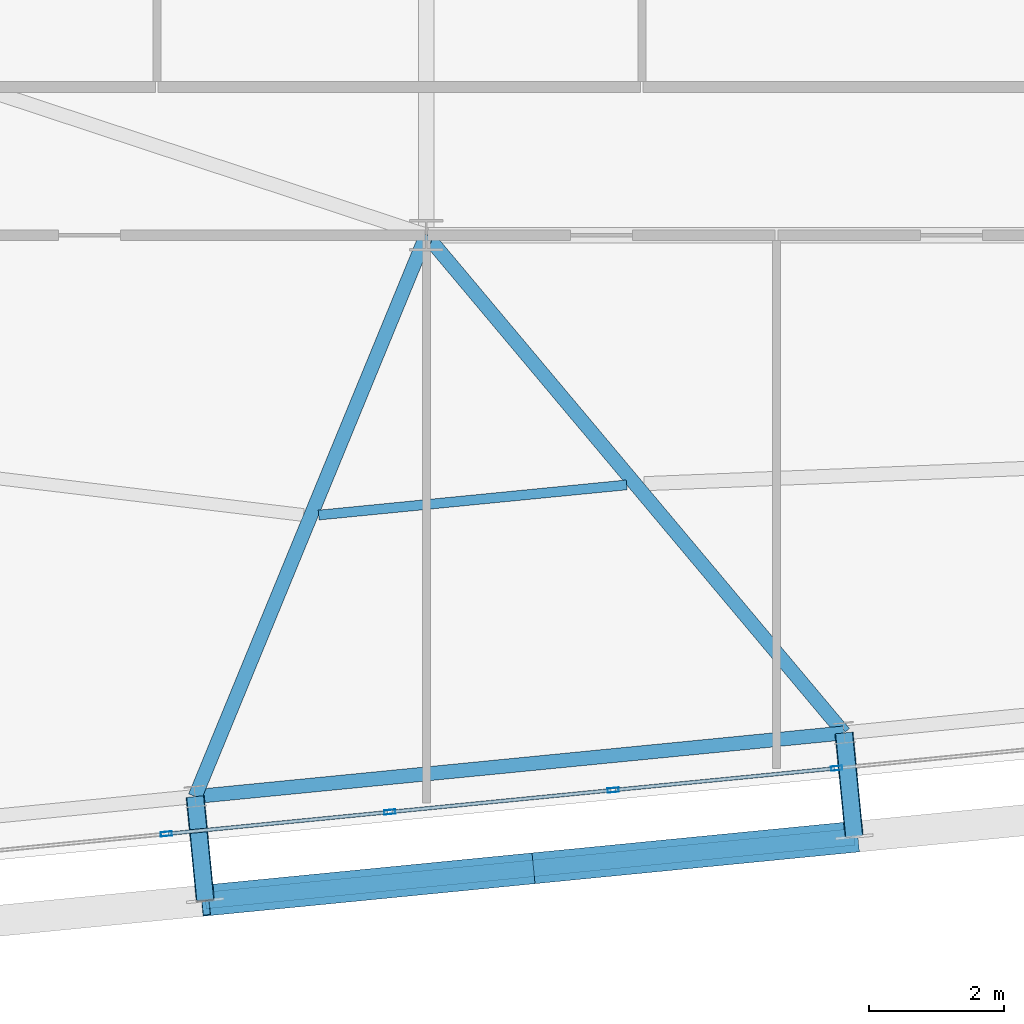
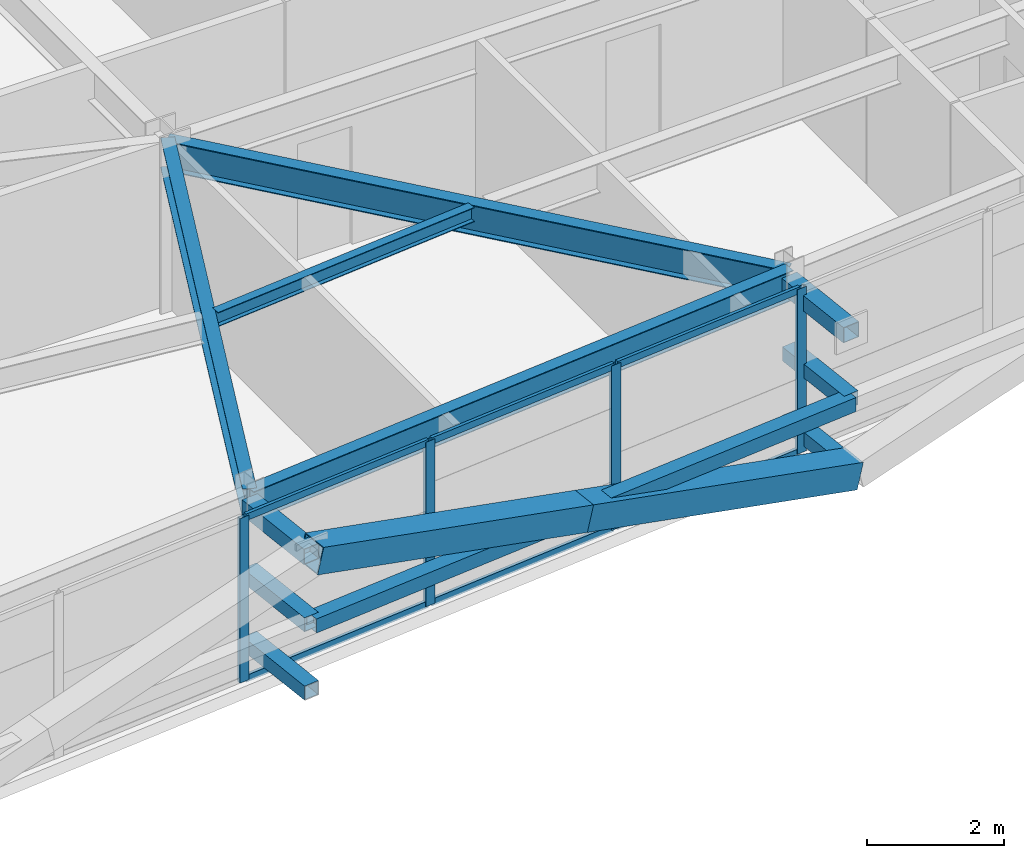
# One storey, part 10 of 52: 19 members, 4 beams, 1 element without a shape of its own.
"""IFC4 building model written with IfcOpenShell, lengths in metres."""

from ifc_helpers import new_model, si_unit, direction, frame, origin, origin_2d, place, context, subcontext, project, spatial, hollow_rectangle, i_section, extrude, source, transform, mapped, material, layer, layer_set, material_profile, profile_set, type_object, element, aggregate, save


model = new_model("IFC4")

# Units and contexts
model_context = context("Model", 3, precision=1e-05, world=origin(), true_north=direction((0.0, 1.0)))
body_context = subcontext(model_context, "Body", "Model", "MODEL_VIEW")
ifc_project = project(units=[si_unit("LENGTHUNIT", "METRE"), si_unit("AREAUNIT", "SQUARE_METRE"), si_unit("VOLUMEUNIT", "CUBIC_METRE"), si_unit("PLANEANGLEUNIT", "RADIAN"), si_unit("MASSUNIT", "GRAM", prefix="KILO")], contexts=[model_context])

# Site, building, storey
site_placement = place(None, origin())
site = spatial("IfcSite", under=ifc_project, at=site_placement, CompositionType="ELEMENT")
building_placement = place(site_placement, origin())
building = spatial("IfcBuilding", under=site, at=building_placement, Name="Taldren Reach Tower", CompositionType="ELEMENT")
storey_placement = place(building_placement, frame((0.0, 0.0, 93.449951171875)))
storey = spatial("IfcBuildingStorey", under=building, at=storey_placement, Name="L28", CompositionType="ELEMENT", Elevation=93.449951171875)

# Beams
ifc_material_1 = material(Name="Steel Gr 350 (350PLUS)", Category="steel")
ifc_material_profile_1 = material_profile(ifc_material_1, i_section(OverallWidth=0.208984375, OverallDepth=0.528076171875, WebThickness=0.009521484375, FlangeThickness=0.01318359375, at=origin_2d()), Name="530UB82.0")
ifc_profile_set_1 = profile_set([ifc_material_profile_1], Name="Steel Gr 350 (350PLUS)")
beam_type_1 = type_object("IfcBeamType", Name="SP-UB530B", PredefinedType="SPANDREL", material=ifc_profile_set_1)
shared_shape_1 = source(origin(), body_context, "Body", "SweptSolid", [
    extrude(i_section(OverallWidth=0.208984375, OverallDepth=0.528076171875, WebThickness=0.009521484375, FlangeThickness=0.01318359375, at=origin_2d()), origin(), (0.0, 0.0, 1.0), 9.679931640625),
])
beam_1_placement = place(storey_placement, frame((24.56787109375, 0.86474609375, 2.666015625), z_axis=(0.995227612658, 0.097580730699, 0.0), x_axis=(-0.097580730699, 0.995227612658, 0.0)))
element("IfcBeam", 1, at=beam_1_placement, inside=storey, type_object=beam_type_1, Name="Perimeter spandrel B2 S2-S3 L28", PredefinedType="SPANDREL", context=body_context, shape_type="MappedRepresentation", body=[
    mapped(shared_shape_1, transform((0.0, 0.0, 0.0), scale=1.0)),
])
ifc_material_profile_2 = material_profile(ifc_material_1, i_section(OverallWidth=0.208984375, OverallDepth=0.532958984375, WebThickness=0.01025390625, FlangeThickness=0.015625, at=origin_2d()), Name="530UB92.4")
ifc_profile_set_2 = profile_set([ifc_material_profile_2], Name="Steel Gr 350 (350PLUS)")
beam_type_2 = type_object("IfcBeamType", Name="BM-UB530A", PredefinedType="BEAM", material=ifc_profile_set_2)
shared_shape_2 = source(origin(), body_context, "Body", "SweptSolid", [
    extrude(i_section(OverallWidth=0.208984375, OverallDepth=0.532958984375, WebThickness=0.01025390625, FlangeThickness=0.015625, at=origin_2d()), origin(), (0.0, 0.0, 1.0), 9.01416015625),
])
beam_2_placement = place(storey_placement, frame((28.0, 9.199951171875, 2.66357421875), z_axis=(-0.380748443035, -0.924678659387, 0.0), x_axis=(0.924678659387, -0.380748443035, 0.0)))
element("IfcBeam", 2, at=beam_2_placement, inside=storey, type_object=beam_type_2, Name="Primary floor girder B2-S2 L28", PredefinedType="BEAM", context=body_context, shape_type="MappedRepresentation", body=[
    mapped(shared_shape_2, transform((0.0, 0.0, 0.0), scale=1.0)),
])
shared_shape_3 = source(origin(), body_context, "Body", "SweptSolid", [
    extrude(i_section(OverallWidth=0.208984375, OverallDepth=0.532958984375, WebThickness=0.01025390625, FlangeThickness=0.015625, at=origin_2d()), origin(), (0.0, 0.0, 1.0), 9.64794921875),
])
beam_3_placement = place(storey_placement, frame((28.0, 9.199951171875, 2.66357421875), z_axis=(0.642799132398, -0.766034774268, 0.0), x_axis=(0.766034774268, 0.642799132398, 0.0)))
element("IfcBeam", 3, at=beam_3_placement, inside=storey, type_object=beam_type_2, Name="Primary floor girder B2-S3 L28", PredefinedType="BEAM", context=body_context, shape_type="MappedRepresentation", body=[
    mapped(shared_shape_3, transform((0.0, 0.0, 0.0), scale=1.0)),
])
ifc_material_2 = material(Name="Steel Gr 300 (300PLUS, 300 MPa)", Category="steel")
ifc_material_profile_3 = material_profile(ifc_material_2, i_section(OverallWidth=0.14599609375, OverallDepth=0.256103515625, WebThickness=0.00634765625, FlangeThickness=0.010986328125, at=origin_2d()), Name="250UB37.3")
ifc_profile_set_3 = profile_set([ifc_material_profile_3], Name="Steel Gr 300 (300PLUS, 300 MPa)")
beam_type_3 = type_object("IfcBeamType", Name="JS-UB250", PredefinedType="JOIST", material=ifc_profile_set_3)
shared_shape_4 = source(origin(), body_context, "Body", "SweptSolid", [
    extrude(i_section(OverallWidth=0.14599609375, OverallDepth=0.256103515625, WebThickness=0.00634765625, FlangeThickness=0.010986328125, at=origin_2d()), origin(), (0.0, 0.0, 1.0), 4.594970703125),
])
beam_4_placement = place(storey_placement, frame((26.40185546875, 5.0439453125, 2.802001953125), z_axis=(0.995230447096, 0.097551817888, 0.0), x_axis=(-0.097551817888, 0.995230447096, 0.0)))
element("IfcBeam", 4, at=beam_4_placement, inside=storey, type_object=beam_type_3, Name="Secondary floor joist B2 J2 L28", PredefinedType="JOIST", context=body_context, shape_type="MappedRepresentation", body=[
    mapped(shared_shape_4, transform((0.0, 0.0, 0.0), scale=1.0)),
])

# Members
ifc_material_3 = material(Name="Steel Gr 450 (C450L0)", Category="steel")
ifc_material_profile_4 = material_profile(ifc_material_3, hollow_rectangle(XDim=0.27490234375, YDim=0.27490234375, WallThickness=0.00927734375, at=origin_2d()), Name="275x275x9.3SHS")
ifc_profile_set_4 = profile_set([ifc_material_profile_4], Name="Steel Gr 450 (C450L0)")
member_type_1 = type_object("IfcMemberType", Name="MB-TIE273", PredefinedType="STRUT", material=ifc_profile_set_4)
shared_shape_5 = source(origin(), body_context, "Body", "SweptSolid", [
    extrude(hollow_rectangle(XDim=0.27490234375, YDim=0.27490234375, WallThickness=0.00927734375, at=origin_2d()), origin(), (0.0, 0.0, 1.0), 1.550048828125),
])
for number, where, z_axis, x_axis, name in (
    (5, (24.56787109375, 0.86474609375, 2.650146484375), (0.097647892962, -0.9952210252, 0.0), (0.9952210252, 0.097647892962, 0.0), "Exoskeleton diaphragm tie strut B2-S2 L28"),
    (6, (34.20166015625, 1.809326171875, 2.650146484375), (0.097647892962, -0.9952210252, 0.0), (0.9952210252, 0.097647892962, 0.0), "Exoskeleton diaphragm tie strut B2-S3 L28"),
):
    element("IfcMember", number, at=place(storey_placement, frame(where, z_axis=z_axis, x_axis=x_axis)), inside=storey, type_object=member_type_1, Name=name, PredefinedType="STRUT", context=body_context, shape_type="MappedRepresentation", body=[
        mapped(shared_shape_5, transform((0.0, 0.0, 0.0), scale=1.0)),
    ])
ifc_material_profile_5 = material_profile(ifc_material_3, hollow_rectangle(XDim=0.4599609375, YDim=0.4599609375, WallThickness=0.01611328125, at=origin_2d()), Name="460x460x16.0SHS")
ifc_profile_set_5 = profile_set([ifc_material_profile_5], Name="Steel Gr 450 (C450L0)")
member_type_2 = type_object("IfcMemberType", Name="MB-EXO457", PredefinedType="BRACE", material=ifc_profile_set_5)
shared_shape_6 = source(origin(), body_context, "Body", "SweptSolid", [
    extrude(hollow_rectangle(XDim=0.4599609375, YDim=0.4599609375, WallThickness=0.01611328125, at=origin_2d()), origin(), (0.0, 0.0, 1.0), 4.990234375),
])
for number, where, z_axis, x_axis, name in (
    (7, (34.35302734375, 0.2666015625, 0.219970703125), (-0.965275526283, -0.094619506732, 0.243496010862), (0.097555749586, -0.995230061706, 0.0), "Exoskeleton Diagrid Brace B2-S2 L28"),
    (8, (29.5361328125, -0.20556640625, 1.43505859375), (-0.965271056716, -0.094667992638, 0.243494883389), (0.097605711627, -0.995225162995, 0.0), "Exoskeleton Diagrid Brace B2-S2 L28"),
):
    element("IfcMember", number, at=place(storey_placement, frame(where, z_axis=z_axis, x_axis=x_axis)), inside=storey, type_object=member_type_2, Name=name, PredefinedType="BRACE", context=body_context, shape_type="MappedRepresentation", body=[
        mapped(shared_shape_6, transform((0.0, 0.0, 0.0), scale=1.0)),
    ])
ifc_material_4 = material(Name="Steel Gr 350 (C350L0)", Category="steel")
ifc_material_profile_6 = material_profile(ifc_material_4, hollow_rectangle(XDim=0.25, YDim=0.25, WallThickness=0.010009765625, at=origin_2d()), Name="250x250x10.0SHS")
ifc_profile_set_6 = profile_set([ifc_material_profile_6], Name="Steel Gr 350 (C350L0)")
member_type_3 = type_object("IfcMemberType", Name="MB-POST250", PredefinedType="POST", material=ifc_profile_set_6)
shared_shape_7 = source(origin(), body_context, "Body", "SweptSolid", [
    extrude(hollow_rectangle(XDim=0.25, YDim=0.25, WallThickness=0.010009765625, at=origin_2d()), origin(), (0.0, 0.0, 1.0), 9.679931640625),
])
member_1_placement = place(storey_placement, frame((24.71923828125, -0.677978515625, 1.43505859375), z_axis=(0.995227612658, 0.097580730699, 0.0), x_axis=(-0.097580730699, 0.995227612658, 0.0)))
element("IfcMember", 9, at=member_1_placement, inside=storey, type_object=member_type_3, Name="Exoskeleton mid-height ring chord B2-S2 L28", PredefinedType="POST", context=body_context, shape_type="MappedRepresentation", body=[
    mapped(shared_shape_7, transform((0.0, 0.0, 0.0), scale=1.0)),
])
shared_shape_8 = source(origin(), body_context, "Body", "SweptSolid", [
    extrude(hollow_rectangle(XDim=0.25, YDim=0.25, WallThickness=0.010009765625, at=origin_2d()), origin(), (0.0, 0.0, 1.0), 1.550048828125),
])
for number, where, z_axis, x_axis, name in (
    (10, (24.56787109375, 0.86474609375, 0.219970703125), (0.097647892962, -0.9952210252, 0.0), (0.9952210252, 0.097647892962, 0.0), "Exoskeleton base diaphragm tie strut B2-S2 L28"),
    (11, (34.20166015625, 1.809326171875, 0.219970703125), (0.097647892962, -0.9952210252, 0.0), (0.9952210252, 0.097647892962, 0.0), "Exoskeleton base diaphragm tie strut B2-S3 L28"),
    (12, (24.56787109375, 0.86474609375, 1.43505859375), (0.097647892962, -0.9952210252, 0.0), (0.9952210252, 0.097647892962, 0.0), "Exoskeleton mid-tier diaphragm tie B2-S2 L28"),
    (13, (34.20166015625, 1.809326171875, 1.43505859375), (0.097647892962, -0.9952210252, 0.0), (0.9952210252, 0.097647892962, 0.0), "Exoskeleton mid-tier diaphragm tie B2-S3 L28"),
):
    element("IfcMember", number, at=place(storey_placement, frame(where, z_axis=z_axis, x_axis=x_axis)), inside=storey, type_object=member_type_3, Name=name, PredefinedType="POST", context=body_context, shape_type="MappedRepresentation", body=[
        mapped(shared_shape_8, transform((0.0, 0.0, 0.0), scale=1.0)),
    ])

# Curtain wall, members
ifc_material_5 = material(Name="Aluminium and Low-E Glass Unitised System", Category="aluminium")
ifc_layer = layer(ifc_material_5, 0.159912109375)
ifc_layer_set = layer_set([ifc_layer], Name="Aluminium and Low-E Glass Unitised System")
curtain_wall_type = type_object("IfcCurtainWallType", Name="CW-SYS-3", PredefinedType="NOTDEFINED", material=ifc_layer_set)
curtain_wall_placement = place(storey_placement, origin())
curtain_wall = element("IfcCurtainWall", 14, at=curtain_wall_placement, inside=storey, type_object=curtain_wall_type, Name="Unitised curtain wall CW-L28-S", PredefinedType="NOTDEFINED")
ifc_material_6 = material(Name="Anodised Aluminium 6063-T6", Category="aluminium")
ifc_material_profile_7 = material_profile(ifc_material_6, hollow_rectangle(XDim=0.06494140625, YDim=0.1650390625, WallThickness=0.00390625, at=origin_2d()), Name="ALU-165x65x4RHS")
ifc_profile_set_7 = profile_set([ifc_material_profile_7], Name="Anodised Aluminium 6063-T6")
member_type_4 = type_object("IfcMemberType", Name="CW-MUL-165", PredefinedType="MULLION", material=ifc_profile_set_7)
shared_shape_9 = source(origin(), body_context, "Body", "SweptSolid", [
    extrude(hollow_rectangle(XDim=0.06494140625, YDim=0.1650390625, WallThickness=0.00390625, at=origin_2d()), origin(), (0.0, 0.0, 1.0), 2.929931640625),
])
member_2_placement = place(storey_placement, frame((24.14013671875, 0.310302734375, 0.0), z_axis=(0.0, 0.0, 1.0), x_axis=(-0.097582999046, 0.995227390247, 0.0)))
member_2 = element("IfcMember", 15, at=member_2_placement, type_object=member_type_4, Name="CW-3 mullion 4", PredefinedType="MULLION", context=body_context, shape_type="MappedRepresentation", body=[
    mapped(shared_shape_9, transform((0.0, 0.0, 0.0), scale=1.0)),
])
member_3_placement = place(storey_placement, frame((27.45751953125, 0.635498046875, 0.0), z_axis=(0.0, 0.0, 1.0), x_axis=(-0.097582999046, 0.995227390247, 0.0)))
member_3 = element("IfcMember", 16, at=member_3_placement, type_object=member_type_4, Name="CW-3 mullion 5", PredefinedType="MULLION", context=body_context, shape_type="MappedRepresentation", body=[
    mapped(shared_shape_9, transform((0.0, 0.0, 0.0), scale=1.0)),
])
member_4_placement = place(storey_placement, frame((30.77490234375, 0.9609375, 0.0), z_axis=(0.0, 0.0, 1.0), x_axis=(-0.097582999046, 0.995227390247, 0.0)))
member_4 = element("IfcMember", 17, at=member_4_placement, type_object=member_type_4, Name="CW-3 mullion 6", PredefinedType="MULLION", context=body_context, shape_type="MappedRepresentation", body=[
    mapped(shared_shape_9, transform((0.0, 0.0, 0.0), scale=1.0)),
])
member_5_placement = place(storey_placement, frame((34.09228515625, 1.2861328125, 0.0), z_axis=(0.0, 0.0, 1.0), x_axis=(-0.097582999046, 0.995227390247, 0.0)))
member_5 = element("IfcMember", 18, at=member_5_placement, type_object=member_type_4, Name="CW-3 mullion 7", PredefinedType="MULLION", context=body_context, shape_type="MappedRepresentation", body=[
    mapped(shared_shape_9, transform((0.0, 0.0, 0.0), scale=1.0)),
])
ifc_material_profile_8 = material_profile(ifc_material_6, hollow_rectangle(XDim=0.054931640625, YDim=0.1201171875, WallThickness=0.0029296875, at=origin_2d()), Name="ALU-120x55x3RHS")
ifc_profile_set_8 = profile_set([ifc_material_profile_8], Name="Anodised Aluminium 6063-T6")
member_type_5 = type_object("IfcMemberType", Name="CW-TRN-135", PredefinedType="USERDEFINED", material=ifc_profile_set_8)
shared_shape_10 = source(origin(), body_context, "Body", "SweptSolid", [
    extrude(hollow_rectangle(XDim=0.054931640625, YDim=0.1201171875, WallThickness=0.0029296875, at=origin_2d()), origin(), (0.0, 0.0, 1.0), 3.268310546875),
])
member_6_placement = place(storey_placement, frame((24.17236328125, 0.3134765625, 0.027587890625), z_axis=(0.99522980512, 0.097558367146, 0.0), x_axis=(-0.097558367146, 0.99522980512, 0.0)))
member_6 = element("IfcMember", 19, at=member_6_placement, type_object=member_type_5, Name="CW-3 transom 4.1", ObjectType="TRANSOM", PredefinedType="USERDEFINED", context=body_context, shape_type="MappedRepresentation", body=[
    mapped(shared_shape_10, transform((0.0, 0.0, 0.0), scale=1.0)),
])
member_7_placement = place(storey_placement, frame((24.17236328125, 0.3134765625, 2.902587890625), z_axis=(0.99522980512, 0.097558367146, 0.0), x_axis=(-0.097558367146, 0.99522980512, 0.0)))
member_7 = element("IfcMember", 20, at=member_7_placement, type_object=member_type_5, Name="CW-3 transom 4.2", ObjectType="TRANSOM", PredefinedType="USERDEFINED", context=body_context, shape_type="MappedRepresentation", body=[
    mapped(shared_shape_10, transform((0.0, 0.0, 0.0), scale=1.0)),
])
member_8_placement = place(storey_placement, frame((27.48974609375, 0.638671875, 0.027587890625), z_axis=(0.995222549564, 0.097632355496, 0.0), x_axis=(-0.097632355496, 0.995222549564, 0.0)))
member_8 = element("IfcMember", 21, at=member_8_placement, type_object=member_type_5, Name="CW-3 transom 5.1", ObjectType="TRANSOM", PredefinedType="USERDEFINED", context=body_context, shape_type="MappedRepresentation", body=[
    mapped(shared_shape_10, transform((0.0, 0.0, 0.0), scale=1.0)),
])
member_9_placement = place(storey_placement, frame((27.48974609375, 0.638671875, 2.902587890625), z_axis=(0.995222549564, 0.097632355496, 0.0), x_axis=(-0.097632355496, 0.995222549564, 0.0)))
member_9 = element("IfcMember", 22, at=member_9_placement, type_object=member_type_5, Name="CW-3 transom 5.2", ObjectType="TRANSOM", PredefinedType="USERDEFINED", context=body_context, shape_type="MappedRepresentation", body=[
    mapped(shared_shape_10, transform((0.0, 0.0, 0.0), scale=1.0)),
])
shared_shape_11 = source(origin(), body_context, "Body", "SweptSolid", [
    extrude(hollow_rectangle(XDim=0.054931640625, YDim=0.1201171875, WallThickness=0.0029296875, at=origin_2d()), origin(), (0.0, 0.0, 1.0), 3.2685546875),
])
member_10_placement = place(storey_placement, frame((30.80712890625, 0.964111328125, 0.027587890625), z_axis=(0.99523051601, 0.097551114824, 0.0), x_axis=(-0.097551114824, 0.99523051601, 0.0)))
member_10 = element("IfcMember", 23, at=member_10_placement, type_object=member_type_5, Name="CW-3 transom 6.1", ObjectType="TRANSOM", PredefinedType="USERDEFINED", context=body_context, shape_type="MappedRepresentation", body=[
    mapped(shared_shape_11, transform((0.0, 0.0, 0.0), scale=1.0)),
])
member_11_placement = place(storey_placement, frame((30.80712890625, 0.964111328125, 2.902587890625), z_axis=(0.99523051601, 0.097551114824, 0.0), x_axis=(-0.097551114824, 0.99523051601, 0.0)))
member_11 = element("IfcMember", 24, at=member_11_placement, type_object=member_type_5, Name="CW-3 transom 6.2", ObjectType="TRANSOM", PredefinedType="USERDEFINED", context=body_context, shape_type="MappedRepresentation", body=[
    mapped(shared_shape_11, transform((0.0, 0.0, 0.0), scale=1.0)),
])
aggregate(curtain_wall, [member_2, member_3, member_4, member_5, member_6, member_7, member_8, member_9, member_10, member_11])

save(model, "model.ifc")
